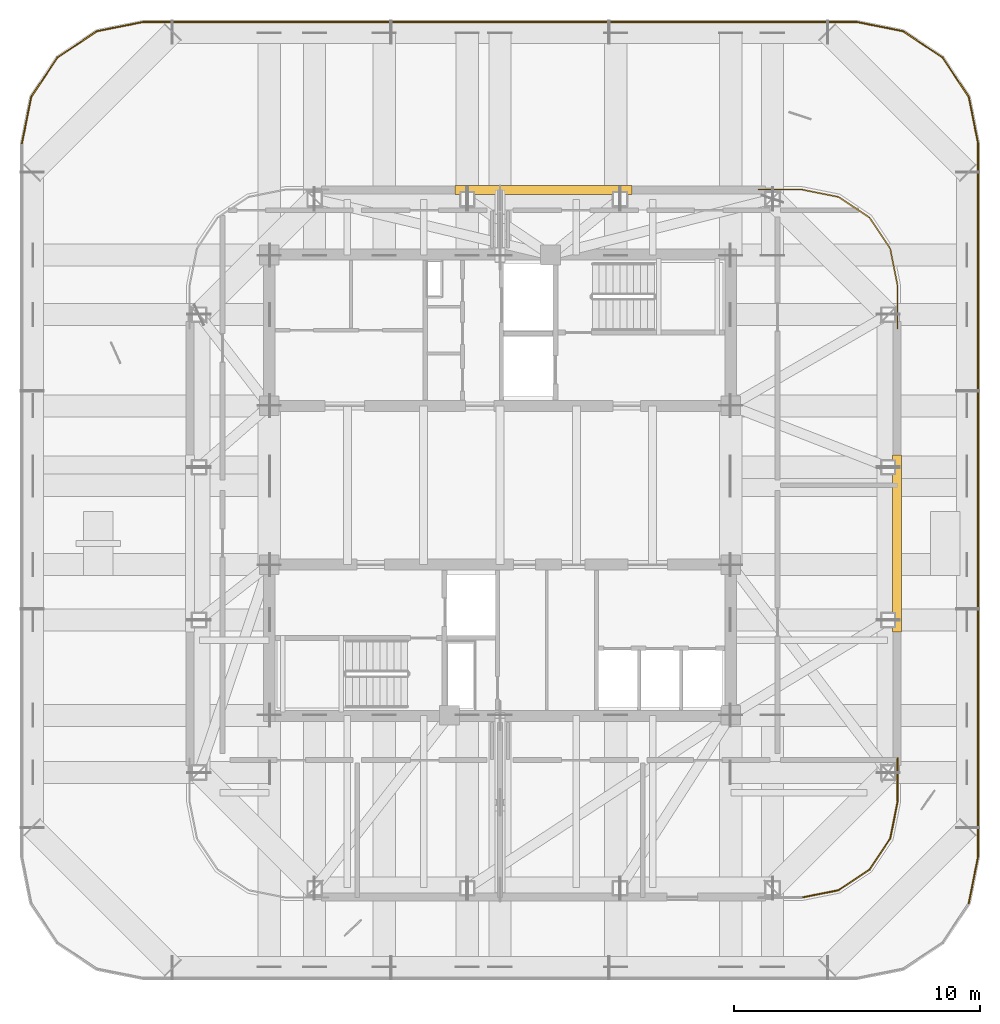
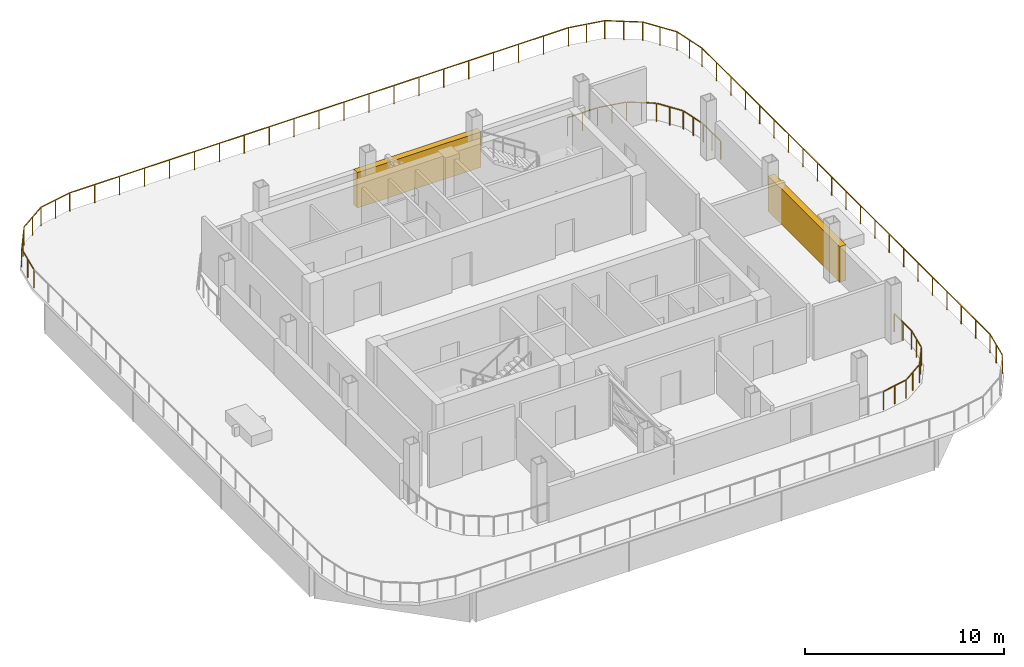
# One storey, part 10 of 10: 13 railings, 2 shading devices.
"""IFC4 building model written with IfcOpenShell, lengths in metres."""

from ifc_helpers import new_model, si_unit, direction, frame, origin, origin_2d, place, context, subcontext, project, spatial, rectangle, extrude, material, type_object, element, save


model = new_model("IFC4")

# Units and contexts
model_context = context("Model", 3, precision=1e-05, world=origin(), true_north=direction((0.0, 1.0)))
body_context = subcontext(model_context, "Body", "Model", "MODEL_VIEW")
ifc_project = project(units=[si_unit("LENGTHUNIT", "METRE"), si_unit("AREAUNIT", "SQUARE_METRE"), si_unit("VOLUMEUNIT", "CUBIC_METRE"), si_unit("PLANEANGLEUNIT", "RADIAN"), si_unit("MASSUNIT", "GRAM", prefix="KILO")], contexts=[model_context])

# Site, building, storey
site_placement = place(None, origin())
site = spatial("IfcSite", under=ifc_project, at=site_placement, CompositionType="ELEMENT")
building_placement = place(site_placement, origin())
building = spatial("IfcBuilding", under=site, at=building_placement, Name="Qhalaya Broadcast Tower", CompositionType="ELEMENT")
storey_placement = place(building_placement, frame((0.0, 0.0, 231.300048828125)))
storey = spatial("IfcBuildingStorey", under=building, at=storey_placement, Name="L68", CompositionType="ELEMENT", Elevation=231.300048828125)

# Shading devices
ifc_material_1 = material(Name="Fired Architectural Terracotta", Category="masonry")
shading_device_type = type_object("IfcShadingDeviceType", Name="Plant & Turbine-Slot Acoustic Louvre Screen LVS-01", PredefinedType="USERDEFINED", material=ifc_material_1)
for number, where, z_axis, x_axis, name in (
    (1, (16.1298828125, -1.77001953125, 0.0), (0.0, 0.0, 1.0), (0.0, -1.0, 0.0), "L68 Plant Acoustic Louvre Screen E"),
    (2, (1.77001953125, 12.590087890625, 0.0), (0.0, 0.0, 1.0), (1.0, 0.0, 0.0), "L68 Plant Acoustic Louvre Screen N"),
):
    element("IfcShadingDevice", number, at=place(storey_placement, frame(where, z_axis=z_axis, x_axis=x_axis)), inside=storey, type_object=shading_device_type, Name=name, ObjectType="LOUVRE", PredefinedType="USERDEFINED", context=body_context, shape_type="SweptSolid", body=[
        extrude(rectangle(XDim=7.199951171875, YDim=0.360107421875, at=origin_2d()), origin(), (0.0, 0.0, 1.0), 2.181884765625),
    ])

# Railings
ifc_material_2 = material(Name="Powder-Coated Galvanised Steel", Category="steel")
railing_type = type_object("IfcRailingType", Name="Terrace, Sky-Pool & Lookout Glass Balustrade 1150", PredefinedType="BALUSTRADE", material=ifc_material_2)
railing_1_placement = place(storey_placement, frame((-19.419921875, 14.4921875, 0.0)))
element("IfcRailing", 3, at=railing_1_placement, inside=storey, type_object=railing_type, Name="L68 Perimeter Safety Balustrade BAL-TER1-07", PredefinedType="BALUSTRADE", context=body_context, shape_type="SweptSolid", body=[
    extrude(rectangle(XDim=0.048095703125, YDim=0.048095703125, at=origin_2d()), frame((0.0, 0.0, 1.1259765625), z_axis=(0.195117057423, 0.980779962021, 0.0), x_axis=(-0.980779962021, 0.195117057423, 0.0)), (0.0, 0.0, 1.0), 1.927001953125),
    extrude(rectangle(XDim=0.0419921875, YDim=0.0419921875, at=origin_2d()), origin(), (0.0, 0.0, 1.0), 1.099853515625),
    extrude(rectangle(XDim=0.0419921875, YDim=0.0419921875, at=origin_2d()), frame((0.18798828125, 0.94482421875, 0.0)), (0.0, 0.0, 1.0), 1.099853515625),
    extrude(rectangle(XDim=0.0419921875, YDim=0.0419921875, at=origin_2d()), frame((0.3759765625, 1.889892578125, 0.0)), (0.0, 0.0, 1.0), 1.099853515625),
])
railing_2_placement = place(storey_placement, frame((-19.0439453125, 16.382080078125, 0.0)))
element("IfcRailing", 4, at=railing_2_placement, inside=storey, type_object=railing_type, Name="L68 Perimeter Safety Balustrade BAL-TER1-08", PredefinedType="BALUSTRADE", context=body_context, shape_type="SweptSolid", body=[
    extrude(rectangle(XDim=0.048095703125, YDim=0.048095703125, at=origin_2d()), frame((0.0, 0.0, 1.1259765625), z_axis=(0.555551272932, 0.831482280715, 0.0), x_axis=(-0.831482280715, 0.555551272932, 0.0)), (0.0, 0.0, 1.0), 1.919189453125),
    extrude(rectangle(XDim=0.0419921875, YDim=0.0419921875, at=origin_2d()), origin(), (0.0, 0.0, 1.0), 1.099853515625),
    extrude(rectangle(XDim=0.0419921875, YDim=0.0419921875, at=origin_2d()), frame((0.533203125, 0.7978515625, 0.0)), (0.0, 0.0, 1.0), 1.099853515625),
    extrude(rectangle(XDim=0.0419921875, YDim=0.0419921875, at=origin_2d()), frame((1.066162109375, 1.595703125, 0.0)), (0.0, 0.0, 1.0), 1.099853515625),
])
railing_3_placement = place(storey_placement, frame((-17.977783203125, 17.977783203125, 0.0)))
element("IfcRailing", 5, at=railing_3_placement, inside=storey, type_object=railing_type, Name="L68 Perimeter Safety Balustrade BAL-TER1-09", PredefinedType="BALUSTRADE", context=body_context, shape_type="SweptSolid", body=[
    extrude(rectangle(XDim=0.048095703125, YDim=0.048095703125, at=origin_2d()), frame((0.0, 0.0, 1.1259765625), z_axis=(0.831482280715, 0.555551272932, 0.0), x_axis=(-0.555551272932, 0.831482280715, 0.0)), (0.0, 0.0, 1.0), 1.919189453125),
    extrude(rectangle(XDim=0.0419921875, YDim=0.0419921875, at=origin_2d()), origin(), (0.0, 0.0, 1.0), 1.099853515625),
    extrude(rectangle(XDim=0.0419921875, YDim=0.0419921875, at=origin_2d()), frame((0.7978515625, 0.533203125, 0.0)), (0.0, 0.0, 1.0), 1.099853515625),
    extrude(rectangle(XDim=0.0419921875, YDim=0.0419921875, at=origin_2d()), frame((1.595703125, 1.066162109375, 0.0)), (0.0, 0.0, 1.0), 1.099853515625),
])
railing_4_placement = place(storey_placement, frame((-16.382080078125, 19.0439453125, 0.0)))
element("IfcRailing", 6, at=railing_4_placement, inside=storey, type_object=railing_type, Name="L68 Perimeter Safety Balustrade BAL-TER1-10", PredefinedType="BALUSTRADE", context=body_context, shape_type="SweptSolid", body=[
    extrude(rectangle(XDim=0.048095703125, YDim=0.048095703125, at=origin_2d()), frame((0.0, 0.0, 1.1259765625), z_axis=(0.980779962021, 0.195117057423, 0.0), x_axis=(-0.195117057423, 0.980779962021, 0.0)), (0.0, 0.0, 1.0), 1.927001953125),
    extrude(rectangle(XDim=0.0419921875, YDim=0.0419921875, at=origin_2d()), origin(), (0.0, 0.0, 1.0), 1.099853515625),
    extrude(rectangle(XDim=0.0419921875, YDim=0.0419921875, at=origin_2d()), frame((0.94482421875, 0.18798828125, 0.0)), (0.0, 0.0, 1.0), 1.099853515625),
    extrude(rectangle(XDim=0.0419921875, YDim=0.0419921875, at=origin_2d()), frame((1.889892578125, 0.3759765625, 0.0)), (0.0, 0.0, 1.0), 1.099853515625),
])
railing_5_placement = place(storey_placement, frame((-14.4921875, 19.419921875, 0.0)))
element("IfcRailing", 7, at=railing_5_placement, inside=storey, type_object=railing_type, Name="L68 Perimeter Safety Balustrade BAL-TER1-11", PredefinedType="BALUSTRADE", context=body_context, shape_type="SweptSolid", body=[
    extrude(rectangle(XDim=0.048095703125, YDim=0.048095703125, at=origin_2d()), frame((0.0, 0.0, 1.1259765625), z_axis=(1.0, 0.0, 0.0), x_axis=(0.0, 1.0, 0.0)), (0.0, 0.0, 1.0), 28.984375),
    extrude(rectangle(XDim=0.0419921875, YDim=0.0419921875, at=origin_2d()), origin(), (0.0, 0.0, 1.0), 1.099853515625),
    extrude(rectangle(XDim=0.0419921875, YDim=0.0419921875, at=origin_2d()), frame((1.44921875, 0.0, 0.0)), (0.0, 0.0, 1.0), 1.099853515625),
    extrude(rectangle(XDim=0.0419921875, YDim=0.0419921875, at=origin_2d()), frame((2.8984375, 0.0, 0.0)), (0.0, 0.0, 1.0), 1.099853515625),
    extrude(rectangle(XDim=0.0419921875, YDim=0.0419921875, at=origin_2d()), frame((4.34765625, 0.0, 0.0)), (0.0, 0.0, 1.0), 1.099853515625),
    extrude(rectangle(XDim=0.0419921875, YDim=0.0419921875, at=origin_2d()), frame((5.796875, 0.0, 0.0)), (0.0, 0.0, 1.0), 1.099853515625),
    extrude(rectangle(XDim=0.0419921875, YDim=0.0419921875, at=origin_2d()), frame((7.24609375, 0.0, 0.0)), (0.0, 0.0, 1.0), 1.099853515625),
    extrude(rectangle(XDim=0.0419921875, YDim=0.0419921875, at=origin_2d()), frame((8.6953125, 0.0, 0.0)), (0.0, 0.0, 1.0), 1.099853515625),
    extrude(rectangle(XDim=0.0419921875, YDim=0.0419921875, at=origin_2d()), frame((10.14453125, 0.0, 0.0)), (0.0, 0.0, 1.0), 1.099853515625),
    extrude(rectangle(XDim=0.0419921875, YDim=0.0419921875, at=origin_2d()), frame((11.59375, 0.0, 0.0)), (0.0, 0.0, 1.0), 1.099853515625),
    extrude(rectangle(XDim=0.0419921875, YDim=0.0419921875, at=origin_2d()), frame((13.04296875, 0.0, 0.0)), (0.0, 0.0, 1.0), 1.099853515625),
    extrude(rectangle(XDim=0.0419921875, YDim=0.0419921875, at=origin_2d()), frame((14.4921875, 0.0, 0.0)), (0.0, 0.0, 1.0), 1.099853515625),
    extrude(rectangle(XDim=0.0419921875, YDim=0.0419921875, at=origin_2d()), frame((15.94140625, 0.0, 0.0)), (0.0, 0.0, 1.0), 1.099853515625),
    extrude(rectangle(XDim=0.0419921875, YDim=0.0419921875, at=origin_2d()), frame((17.390625, 0.0, 0.0)), (0.0, 0.0, 1.0), 1.099853515625),
    extrude(rectangle(XDim=0.0419921875, YDim=0.0419921875, at=origin_2d()), frame((18.83984375, 0.0, 0.0)), (0.0, 0.0, 1.0), 1.099853515625),
    extrude(rectangle(XDim=0.0419921875, YDim=0.0419921875, at=origin_2d()), frame((20.2890625, 0.0, 0.0)), (0.0, 0.0, 1.0), 1.099853515625),
    extrude(rectangle(XDim=0.0419921875, YDim=0.0419921875, at=origin_2d()), frame((21.73828125, 0.0, 0.0)), (0.0, 0.0, 1.0), 1.099853515625),
    extrude(rectangle(XDim=0.0419921875, YDim=0.0419921875, at=origin_2d()), frame((23.1875, 0.0, 0.0)), (0.0, 0.0, 1.0), 1.099853515625),
    extrude(rectangle(XDim=0.0419921875, YDim=0.0419921875, at=origin_2d()), frame((24.63671875, 0.0, 0.0)), (0.0, 0.0, 1.0), 1.099853515625),
    extrude(rectangle(XDim=0.0419921875, YDim=0.0419921875, at=origin_2d()), frame((26.0859375, 0.0, 0.0)), (0.0, 0.0, 1.0), 1.099853515625),
    extrude(rectangle(XDim=0.0419921875, YDim=0.0419921875, at=origin_2d()), frame((27.53515625, 0.0, 0.0)), (0.0, 0.0, 1.0), 1.099853515625),
    extrude(rectangle(XDim=0.0419921875, YDim=0.0419921875, at=origin_2d()), frame((28.984375, 0.0, 0.0)), (0.0, 0.0, 1.0), 1.099853515625),
])
railing_6_placement = place(storey_placement, frame((14.4921875, 19.419921875, 0.0)))
element("IfcRailing", 8, at=railing_6_placement, inside=storey, type_object=railing_type, Name="L68 Perimeter Safety Balustrade BAL-TER1-12", PredefinedType="BALUSTRADE", context=body_context, shape_type="SweptSolid", body=[
    extrude(rectangle(XDim=0.048095703125, YDim=0.048095703125, at=origin_2d()), frame((0.0, 0.0, 1.1259765625), z_axis=(0.980779962021, -0.195117057423, 0.0), x_axis=(0.195117057423, 0.980779962021, 0.0)), (0.0, 0.0, 1.0), 1.927001953125),
    extrude(rectangle(XDim=0.0419921875, YDim=0.0419921875, at=origin_2d()), origin(), (0.0, 0.0, 1.0), 1.099853515625),
    extrude(rectangle(XDim=0.0419921875, YDim=0.0419921875, at=origin_2d()), frame((0.94482421875, -0.18798828125, 0.0)), (0.0, 0.0, 1.0), 1.099853515625),
    extrude(rectangle(XDim=0.0419921875, YDim=0.0419921875, at=origin_2d()), frame((1.889892578125, -0.3759765625, 0.0)), (0.0, 0.0, 1.0), 1.099853515625),
])
railing_7_placement = place(storey_placement, frame((16.382080078125, 19.0439453125, 0.0)))
element("IfcRailing", 9, at=railing_7_placement, inside=storey, type_object=railing_type, Name="L68 Perimeter Safety Balustrade BAL-TER1-13", PredefinedType="BALUSTRADE", context=body_context, shape_type="SweptSolid", body=[
    extrude(rectangle(XDim=0.048095703125, YDim=0.048095703125, at=origin_2d()), frame((0.0, 0.0, 1.1259765625), z_axis=(0.831482280715, -0.555551272932, 0.0), x_axis=(0.555551272932, 0.831482280715, 0.0)), (0.0, 0.0, 1.0), 1.919189453125),
    extrude(rectangle(XDim=0.0419921875, YDim=0.0419921875, at=origin_2d()), origin(), (0.0, 0.0, 1.0), 1.099853515625),
    extrude(rectangle(XDim=0.0419921875, YDim=0.0419921875, at=origin_2d()), frame((0.7978515625, -0.533203125, 0.0)), (0.0, 0.0, 1.0), 1.099853515625),
    extrude(rectangle(XDim=0.0419921875, YDim=0.0419921875, at=origin_2d()), frame((1.595703125, -1.066162109375, 0.0)), (0.0, 0.0, 1.0), 1.099853515625),
])
railing_8_placement = place(storey_placement, frame((17.977783203125, 17.977783203125, 0.0)))
element("IfcRailing", 10, at=railing_8_placement, inside=storey, type_object=railing_type, Name="L68 Perimeter Safety Balustrade BAL-TER1-14", PredefinedType="BALUSTRADE", context=body_context, shape_type="SweptSolid", body=[
    extrude(rectangle(XDim=0.048095703125, YDim=0.048095703125, at=origin_2d()), frame((0.0, 0.0, 1.1259765625), z_axis=(0.555551272932, -0.831482280715, 0.0), x_axis=(0.831482280715, 0.555551272932, 0.0)), (0.0, 0.0, 1.0), 1.919189453125),
    extrude(rectangle(XDim=0.0419921875, YDim=0.0419921875, at=origin_2d()), origin(), (0.0, 0.0, 1.0), 1.099853515625),
    extrude(rectangle(XDim=0.0419921875, YDim=0.0419921875, at=origin_2d()), frame((0.533203125, -0.7978515625, 0.0)), (0.0, 0.0, 1.0), 1.099853515625),
    extrude(rectangle(XDim=0.0419921875, YDim=0.0419921875, at=origin_2d()), frame((1.066162109375, -1.595703125, 0.0)), (0.0, 0.0, 1.0), 1.099853515625),
])
railing_9_placement = place(storey_placement, frame((19.0439453125, 16.382080078125, 0.0)))
element("IfcRailing", 11, at=railing_9_placement, inside=storey, type_object=railing_type, Name="L68 Perimeter Safety Balustrade BAL-TER1-15", PredefinedType="BALUSTRADE", context=body_context, shape_type="SweptSolid", body=[
    extrude(rectangle(XDim=0.048095703125, YDim=0.048095703125, at=origin_2d()), frame((0.0, 0.0, 1.1259765625), z_axis=(0.195117057423, -0.980779962021, 0.0), x_axis=(0.980779962021, 0.195117057423, 0.0)), (0.0, 0.0, 1.0), 1.927001953125),
    extrude(rectangle(XDim=0.0419921875, YDim=0.0419921875, at=origin_2d()), origin(), (0.0, 0.0, 1.0), 1.099853515625),
    extrude(rectangle(XDim=0.0419921875, YDim=0.0419921875, at=origin_2d()), frame((0.18798828125, -0.94482421875, 0.0)), (0.0, 0.0, 1.0), 1.099853515625),
    extrude(rectangle(XDim=0.0419921875, YDim=0.0419921875, at=origin_2d()), frame((0.3759765625, -1.889892578125, 0.0)), (0.0, 0.0, 1.0), 1.099853515625),
])
railing_10_placement = place(storey_placement, frame((19.419921875, 14.4921875, 0.0)))
element("IfcRailing", 12, at=railing_10_placement, inside=storey, type_object=railing_type, Name="L68 Perimeter Safety Balustrade BAL-TER1-16", PredefinedType="BALUSTRADE", context=body_context, shape_type="SweptSolid", body=[
    extrude(rectangle(XDim=0.048095703125, YDim=0.048095703125, at=origin_2d()), frame((0.0, 0.0, 1.1259765625), z_axis=(0.0, -1.0, 0.0), x_axis=(1.0, 0.0, 0.0)), (0.0, 0.0, 1.0), 28.984375),
    extrude(rectangle(XDim=0.0419921875, YDim=0.0419921875, at=origin_2d()), origin(), (0.0, 0.0, 1.0), 1.099853515625),
    extrude(rectangle(XDim=0.0419921875, YDim=0.0419921875, at=origin_2d()), frame((0.0, -1.44921875, 0.0)), (0.0, 0.0, 1.0), 1.099853515625),
    extrude(rectangle(XDim=0.0419921875, YDim=0.0419921875, at=origin_2d()), frame((0.0, -2.8984375, 0.0)), (0.0, 0.0, 1.0), 1.099853515625),
    extrude(rectangle(XDim=0.0419921875, YDim=0.0419921875, at=origin_2d()), frame((0.0, -4.34765625, 0.0)), (0.0, 0.0, 1.0), 1.099853515625),
    extrude(rectangle(XDim=0.0419921875, YDim=0.0419921875, at=origin_2d()), frame((0.0, -5.796875, 0.0)), (0.0, 0.0, 1.0), 1.099853515625),
    extrude(rectangle(XDim=0.0419921875, YDim=0.0419921875, at=origin_2d()), frame((0.0, -7.24609375, 0.0)), (0.0, 0.0, 1.0), 1.099853515625),
    extrude(rectangle(XDim=0.0419921875, YDim=0.0419921875, at=origin_2d()), frame((0.0, -8.6953125, 0.0)), (0.0, 0.0, 1.0), 1.099853515625),
    extrude(rectangle(XDim=0.0419921875, YDim=0.0419921875, at=origin_2d()), frame((0.0, -10.14453125, 0.0)), (0.0, 0.0, 1.0), 1.099853515625),
    extrude(rectangle(XDim=0.0419921875, YDim=0.0419921875, at=origin_2d()), frame((0.0, -11.59375, 0.0)), (0.0, 0.0, 1.0), 1.099853515625),
    extrude(rectangle(XDim=0.0419921875, YDim=0.0419921875, at=origin_2d()), frame((0.0, -13.04296875, 0.0)), (0.0, 0.0, 1.0), 1.099853515625),
    extrude(rectangle(XDim=0.0419921875, YDim=0.0419921875, at=origin_2d()), frame((0.0, -14.4921875, 0.0)), (0.0, 0.0, 1.0), 1.099853515625),
    extrude(rectangle(XDim=0.0419921875, YDim=0.0419921875, at=origin_2d()), frame((0.0, -15.94140625, 0.0)), (0.0, 0.0, 1.0), 1.099853515625),
    extrude(rectangle(XDim=0.0419921875, YDim=0.0419921875, at=origin_2d()), frame((0.0, -17.390625, 0.0)), (0.0, 0.0, 1.0), 1.099853515625),
    extrude(rectangle(XDim=0.0419921875, YDim=0.0419921875, at=origin_2d()), frame((0.0, -18.83984375, 0.0)), (0.0, 0.0, 1.0), 1.099853515625),
    extrude(rectangle(XDim=0.0419921875, YDim=0.0419921875, at=origin_2d()), frame((0.0, -20.2890625, 0.0)), (0.0, 0.0, 1.0), 1.099853515625),
    extrude(rectangle(XDim=0.0419921875, YDim=0.0419921875, at=origin_2d()), frame((0.0, -21.73828125, 0.0)), (0.0, 0.0, 1.0), 1.099853515625),
    extrude(rectangle(XDim=0.0419921875, YDim=0.0419921875, at=origin_2d()), frame((0.0, -23.1875, 0.0)), (0.0, 0.0, 1.0), 1.099853515625),
    extrude(rectangle(XDim=0.0419921875, YDim=0.0419921875, at=origin_2d()), frame((0.0, -24.63671875, 0.0)), (0.0, 0.0, 1.0), 1.099853515625),
    extrude(rectangle(XDim=0.0419921875, YDim=0.0419921875, at=origin_2d()), frame((0.0, -26.0859375, 0.0)), (0.0, 0.0, 1.0), 1.099853515625),
    extrude(rectangle(XDim=0.0419921875, YDim=0.0419921875, at=origin_2d()), frame((0.0, -27.53515625, 0.0)), (0.0, 0.0, 1.0), 1.099853515625),
    extrude(rectangle(XDim=0.0419921875, YDim=0.0419921875, at=origin_2d()), frame((0.0, -28.984375, 0.0)), (0.0, 0.0, 1.0), 1.099853515625),
])
railing_11_placement = place(storey_placement, frame((19.419921875, -14.4921875, 0.0)))
element("IfcRailing", 13, at=railing_11_placement, inside=storey, type_object=railing_type, Name="L68 Perimeter Safety Balustrade BAL-TER1-17", PredefinedType="BALUSTRADE", context=body_context, shape_type="SweptSolid", body=[
    extrude(rectangle(XDim=0.048095703125, YDim=0.048095703125, at=origin_2d()), frame((0.0, 0.0, 1.1259765625), z_axis=(-0.195117057423, -0.980779962021, 0.0), x_axis=(0.980779962021, -0.195117057423, 0.0)), (0.0, 0.0, 1.0), 1.927001953125),
    extrude(rectangle(XDim=0.0419921875, YDim=0.0419921875, at=origin_2d()), origin(), (0.0, 0.0, 1.0), 1.099853515625),
    extrude(rectangle(XDim=0.0419921875, YDim=0.0419921875, at=origin_2d()), frame((-0.18798828125, -0.94482421875, 0.0)), (0.0, 0.0, 1.0), 1.099853515625),
    extrude(rectangle(XDim=0.0419921875, YDim=0.0419921875, at=origin_2d()), frame((-0.3759765625, -1.889892578125, 0.0)), (0.0, 0.0, 1.0), 1.099853515625),
])
railing_12_placement = place(storey_placement, frame((10.501953125, 12.610107421875, 0.0)))
element("IfcRailing", 14, at=railing_12_placement, inside=storey, type_object=railing_type, Name="L68 Rounded Corner Perimeter Guard 04", PredefinedType="BALUSTRADE", context=body_context, shape_type="SweptSolid", body=[
    extrude(rectangle(XDim=0.048095703125, YDim=0.048095703125, at=origin_2d()), frame((0.0, 0.0, 1.1259765625), z_axis=(1.0, 0.0, 0.0), x_axis=(0.0, 1.0, 0.0)), (0.0, 0.0, 1.0), 1.7275390625),
    extrude(rectangle(XDim=0.048095703125, YDim=0.048095703125, at=origin_2d()), frame((1.78466796875, -0.005615234375, 1.1259765625), z_axis=(0.980771099361, -0.195161601391, 0.0), x_axis=(0.195161601391, 0.980771099361, 0.0)), (0.0, 0.0, 1.0), 1.46728515625),
    extrude(rectangle(XDim=0.048095703125, YDim=0.048095703125, at=origin_2d()), frame((3.27587890625, -0.313720703125, 1.1259765625), z_axis=(0.83147889372, -0.555556342146, 0.0), x_axis=(0.555556342146, 0.83147889372, 0.0)), (0.0, 0.0, 1.0), 1.455322265625),
    extrude(rectangle(XDim=0.048095703125, YDim=0.048095703125, at=origin_2d()), frame((4.526123046875, -1.162109375, 1.1259765625), z_axis=(0.555556342146, -0.83147889372, 0.0), x_axis=(0.83147889372, 0.555556342146, 0.0)), (0.0, 0.0, 1.0), 1.455322265625),
    extrude(rectangle(XDim=0.048095703125, YDim=0.048095703125, at=origin_2d()), frame((5.356201171875, -2.424560546875, 1.1259765625), z_axis=(0.195007592307, -0.980801732738, 0.0), x_axis=(0.980801732738, 0.195007592307, 0.0)), (0.0, 0.0, 1.0), 1.46728515625),
    extrude(rectangle(XDim=0.048095703125, YDim=0.048095703125, at=origin_2d()), frame((5.64794921875, -3.920654296875, 1.1259765625), z_axis=(0.0, -1.0, 0.0), x_axis=(1.0, 0.0, 0.0)), (0.0, 0.0, 1.0), 1.7275390625),
    extrude(rectangle(XDim=0.0419921875, YDim=0.0419921875, at=origin_2d()), origin(), (0.0, 0.0, 1.0), 1.099853515625),
    extrude(rectangle(XDim=0.0419921875, YDim=0.0419921875, at=origin_2d()), frame((0.878173828125, 0.0, 0.0)), (0.0, 0.0, 1.0), 1.099853515625),
    extrude(rectangle(XDim=0.0419921875, YDim=0.0419921875, at=origin_2d()), frame((1.75634765625, 0.0, 0.0)), (0.0, 0.0, 1.0), 1.099853515625),
    extrude(rectangle(XDim=0.0419921875, YDim=0.0419921875, at=origin_2d()), frame((2.504150390625, -0.14892578125, 0.0)), (0.0, 0.0, 1.0), 1.099853515625),
    extrude(rectangle(XDim=0.0419921875, YDim=0.0419921875, at=origin_2d()), frame((3.251953125, -0.297607421875, 0.0)), (0.0, 0.0, 1.0), 1.099853515625),
    extrude(rectangle(XDim=0.0419921875, YDim=0.0419921875, at=origin_2d()), frame((3.880859375, -0.7177734375, 0.0)), (0.0, 0.0, 1.0), 1.099853515625),
    extrude(rectangle(XDim=0.0419921875, YDim=0.0419921875, at=origin_2d()), frame((4.510009765625, -1.13818359375, 0.0)), (0.0, 0.0, 1.0), 1.099853515625),
    extrude(rectangle(XDim=0.0419921875, YDim=0.0419921875, at=origin_2d()), frame((4.93017578125, -1.76708984375, 0.0)), (0.0, 0.0, 1.0), 1.099853515625),
    extrude(rectangle(XDim=0.0419921875, YDim=0.0419921875, at=origin_2d()), frame((5.3505859375, -2.396240234375, 0.0)), (0.0, 0.0, 1.0), 1.099853515625),
    extrude(rectangle(XDim=0.0419921875, YDim=0.0419921875, at=origin_2d()), frame((5.499267578125, -3.14404296875, 0.0)), (0.0, 0.0, 1.0), 1.099853515625),
    extrude(rectangle(XDim=0.0419921875, YDim=0.0419921875, at=origin_2d()), frame((5.64794921875, -3.891845703125, 0.0)), (0.0, 0.0, 1.0), 1.099853515625),
    extrude(rectangle(XDim=0.0419921875, YDim=0.0419921875, at=origin_2d()), frame((5.64794921875, -4.77001953125, 0.0)), (0.0, 0.0, 1.0), 1.099853515625),
    extrude(rectangle(XDim=0.0419921875, YDim=0.0419921875, at=origin_2d()), frame((5.64794921875, -5.648193359375, 0.0)), (0.0, 0.0, 1.0), 1.099853515625),
])
railing_13_placement = place(storey_placement, frame((16.14990234375, -10.501953125, 0.0)))
element("IfcRailing", 15, at=railing_13_placement, inside=storey, type_object=railing_type, Name="L68 Rounded Corner Perimeter Guard 05", PredefinedType="BALUSTRADE", context=body_context, shape_type="SweptSolid", body=[
    extrude(rectangle(XDim=0.048095703125, YDim=0.048095703125, at=origin_2d()), frame((0.0, 0.0, 1.1259765625), z_axis=(0.0, -1.0, 0.0), x_axis=(1.0, 0.0, 0.0)), (0.0, 0.0, 1.0), 1.7275390625),
    extrude(rectangle(XDim=0.048095703125, YDim=0.048095703125, at=origin_2d()), frame((-0.005615234375, -1.78466796875, 1.1259765625), z_axis=(-0.195007592307, -0.980801732738, 0.0), x_axis=(0.980801732738, -0.195007592307, 0.0)), (0.0, 0.0, 1.0), 1.46728515625),
    extrude(rectangle(XDim=0.048095703125, YDim=0.048095703125, at=origin_2d()), frame((-0.3134765625, -3.27587890625, 1.1259765625), z_axis=(-0.555556342146, -0.83147889372, 0.0), x_axis=(0.83147889372, -0.555556342146, 0.0)), (0.0, 0.0, 1.0), 1.455322265625),
    extrude(rectangle(XDim=0.048095703125, YDim=0.048095703125, at=origin_2d()), frame((-1.161865234375, -4.526123046875, 1.1259765625), z_axis=(-0.83147889372, -0.555556342146, 0.0), x_axis=(0.555556342146, -0.83147889372, 0.0)), (0.0, 0.0, 1.0), 1.455322265625),
    extrude(rectangle(XDim=0.048095703125, YDim=0.048095703125, at=origin_2d()), frame((-2.42431640625, -5.356201171875, 1.1259765625), z_axis=(-0.980801732738, -0.195007592307, 0.0), x_axis=(0.195007592307, -0.980801732738, 0.0)), (0.0, 0.0, 1.0), 1.49609375),
    extrude(rectangle(XDim=0.0419921875, YDim=0.0419921875, at=origin_2d()), origin(), (0.0, 0.0, 1.0), 1.099853515625),
    extrude(rectangle(XDim=0.0419921875, YDim=0.0419921875, at=origin_2d()), frame((0.0, -0.878173828125, 0.0)), (0.0, 0.0, 1.0), 1.099853515625),
    extrude(rectangle(XDim=0.0419921875, YDim=0.0419921875, at=origin_2d()), frame((0.0, -1.75634765625, 0.0)), (0.0, 0.0, 1.0), 1.099853515625),
    extrude(rectangle(XDim=0.0419921875, YDim=0.0419921875, at=origin_2d()), frame((-0.148681640625, -2.504150390625, 0.0)), (0.0, 0.0, 1.0), 1.099853515625),
    extrude(rectangle(XDim=0.0419921875, YDim=0.0419921875, at=origin_2d()), frame((-0.29736328125, -3.251953125, 0.0)), (0.0, 0.0, 1.0), 1.099853515625),
    extrude(rectangle(XDim=0.0419921875, YDim=0.0419921875, at=origin_2d()), frame((-0.7177734375, -3.880859375, 0.0)), (0.0, 0.0, 1.0), 1.099853515625),
    extrude(rectangle(XDim=0.0419921875, YDim=0.0419921875, at=origin_2d()), frame((-1.137939453125, -4.510009765625, 0.0)), (0.0, 0.0, 1.0), 1.099853515625),
    extrude(rectangle(XDim=0.0419921875, YDim=0.0419921875, at=origin_2d()), frame((-1.76708984375, -4.93017578125, 0.0)), (0.0, 0.0, 1.0), 1.099853515625),
    extrude(rectangle(XDim=0.0419921875, YDim=0.0419921875, at=origin_2d()), frame((-2.39599609375, -5.3505859375, 0.0)), (0.0, 0.0, 1.0), 1.099853515625),
    extrude(rectangle(XDim=0.0419921875, YDim=0.0419921875, at=origin_2d()), frame((-3.143798828125, -5.499267578125, 0.0)), (0.0, 0.0, 1.0), 1.099853515625),
    extrude(rectangle(XDim=0.0419921875, YDim=0.0419921875, at=origin_2d()), frame((-3.8916015625, -5.64794921875, 0.0)), (0.0, 0.0, 1.0), 1.099853515625),
])

save(model, "model.ifc")
